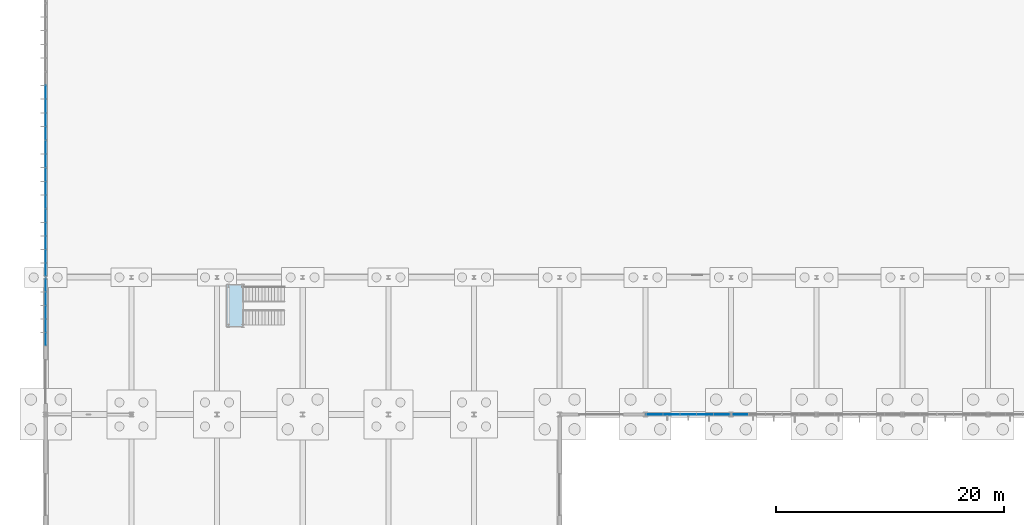
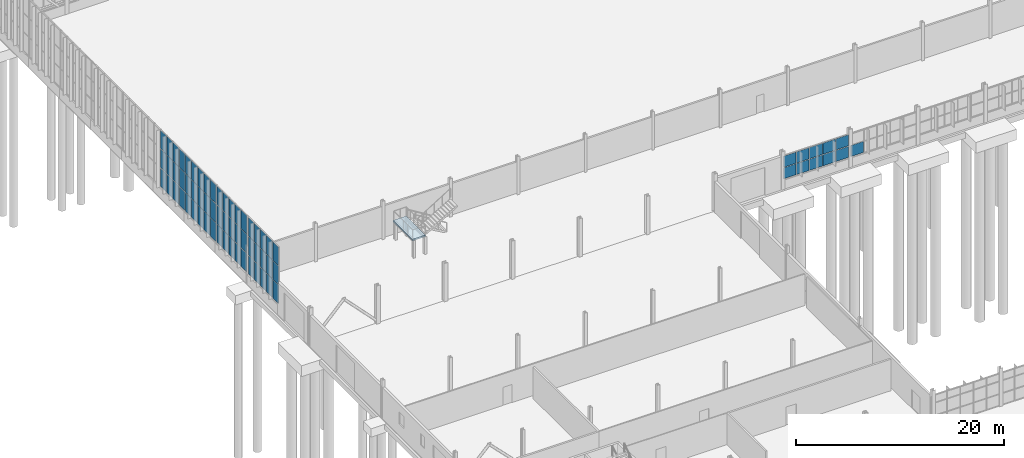
# One storey, part 86 of 136: 68 plates, 1 slab, 7 elements without a shape of their own.
"""IFC4 building model written with IfcOpenShell, lengths in metres."""

from ifc_helpers import new_model, si_unit, direction, frame, origin, origin_2d, place, context, subcontext, project, spatial, polyline, rectangle, outline, extrude, material, layer, layer_set, type_object, element, aggregate, save


model = new_model("IFC4")

# Units and contexts
model_context = context("Model", 3, precision=1e-05, world=origin(), true_north=direction((0.0, 1.0)))
body_context = subcontext(model_context, "Body", "Model", "MODEL_VIEW")
ifc_project = project(units=[si_unit("LENGTHUNIT", "METRE"), si_unit("AREAUNIT", "SQUARE_METRE"), si_unit("VOLUMEUNIT", "CUBIC_METRE"), si_unit("PLANEANGLEUNIT", "RADIAN"), si_unit("MASSUNIT", "GRAM", prefix="KILO")], contexts=[model_context])

# Site, building, storey
site_placement = place(None, origin())
site = spatial("IfcSite", under=ifc_project, at=site_placement, CompositionType="ELEMENT")
building_placement = place(site_placement, origin())
building = spatial("IfcBuilding", under=site, at=building_placement, Name="Solvenia Promenade Tram Depot", CompositionType="ELEMENT")
storey_placement = place(building_placement, origin())
storey = spatial("IfcBuildingStorey", under=building, at=storey_placement, Name="L00", CompositionType="ELEMENT", Elevation=0.0)

# Curtain wall, plates
ifc_material_1 = material(Name="Anodized aluminium AW-6063 T6", Category="aluminium")
ifc_layer_1 = layer(ifc_material_1, 0.159912109375, Name="Anodized aluminium AW-6063 T6", Category="aluminium")
ifc_layer_set_1 = layer_set([ifc_layer_1], Name="Anodized aluminium AW-6063 T6")
curtain_wall_type_1 = type_object("IfcCurtainWallType", Name="CW-Channel-1200", PredefinedType="NOTDEFINED", material=ifc_layer_set_1)
curtain_wall_1_placement = place(storey_placement, origin())
curtain_wall_1 = element("IfcCurtainWall", 1, at=curtain_wall_1_placement, inside=storey, type_object=curtain_wall_type_1, Name="Curtain Wall CW-V1W-02", PredefinedType="NOTDEFINED")
ifc_material_2 = material(Name="Low-iron translucent U-profile channel glass", Category="glass")
ifc_layer_2 = layer(ifc_material_2, 0.028076171875, Name="Low-iron translucent U-profile channel glass", Category="glass")
ifc_layer_set_2 = layer_set([ifc_layer_2], Name="Low-iron translucent U-profile channel glass")
plate_type_1 = type_object("IfcPlateType", Name="CWP-Panel-1", PredefinedType="CURTAIN_PANEL", material=ifc_layer_set_2)
plate_1_placement = place(storey_placement, frame((0.0, 72.60498046875, 1.2099609375), z_axis=(0.0, 0.0, 1.0), x_axis=(0.0, 1.0, 0.0)))
plate_1 = element("IfcPlate", 2, at=plate_1_placement, type_object=plate_type_1, Name="CW-1 panel 1.1", PredefinedType="CURTAIN_PANEL", context=body_context, shape_type="SweptSolid", body=[
    extrude(rectangle(XDim=1.10595703125, YDim=0.028076171875, at=origin_2d()), origin(), (0.0, 0.0, 1.0), 2.159912109375),
])
plate_2_placement = place(storey_placement, frame((0.0, 72.60498046875, 3.429931640625), z_axis=(0.0, 0.0, 1.0), x_axis=(0.0, 1.0, 0.0)))
plate_2 = element("IfcPlate", 3, at=plate_2_placement, type_object=plate_type_1, Name="CW-1 panel 1.2", PredefinedType="CURTAIN_PANEL", context=body_context, shape_type="SweptSolid", body=[
    extrude(rectangle(XDim=1.10595703125, YDim=0.028076171875, at=origin_2d()), origin(), (0.0, 0.0, 1.0), 2.18994140625),
])
plate_3_placement = place(storey_placement, frame((0.0, 72.60498046875, 5.68017578125), z_axis=(0.0, 0.0, 1.0), x_axis=(0.0, 1.0, 0.0)))
plate_3 = element("IfcPlate", 4, at=plate_3_placement, type_object=plate_type_1, Name="CW-1 panel 1.3", PredefinedType="CURTAIN_PANEL", context=body_context, shape_type="SweptSolid", body=[
    extrude(rectangle(XDim=1.10595703125, YDim=0.028076171875, at=origin_2d()), origin(), (0.0, 0.0, 1.0), 2.159912109375),
])
plate_4_placement = place(storey_placement, frame((0.0, 73.77587890625, 1.2099609375), z_axis=(0.0, 0.0, 1.0), x_axis=(0.0, 1.0, 0.0)))
plate_4 = element("IfcPlate", 5, at=plate_4_placement, type_object=plate_type_1, Name="CW-1 panel 2.1", PredefinedType="CURTAIN_PANEL", context=body_context, shape_type="SweptSolid", body=[
    extrude(rectangle(XDim=1.132080078125, YDim=0.028076171875, at=origin_2d()), origin(), (0.0, 0.0, 1.0), 2.159912109375),
])
plate_5_placement = place(storey_placement, frame((0.0, 73.77587890625, 3.429931640625), z_axis=(0.0, 0.0, 1.0), x_axis=(0.0, 1.0, 0.0)))
plate_5 = element("IfcPlate", 6, at=plate_5_placement, type_object=plate_type_1, Name="CW-1 panel 2.2", PredefinedType="CURTAIN_PANEL", context=body_context, shape_type="SweptSolid", body=[
    extrude(rectangle(XDim=1.132080078125, YDim=0.028076171875, at=origin_2d()), origin(), (0.0, 0.0, 1.0), 2.18994140625),
])
plate_6_placement = place(storey_placement, frame((0.0, 73.77587890625, 5.68017578125), z_axis=(0.0, 0.0, 1.0), x_axis=(0.0, 1.0, 0.0)))
plate_6 = element("IfcPlate", 7, at=plate_6_placement, type_object=plate_type_1, Name="CW-1 panel 2.3", PredefinedType="CURTAIN_PANEL", context=body_context, shape_type="SweptSolid", body=[
    extrude(rectangle(XDim=1.132080078125, YDim=0.028076171875, at=origin_2d()), origin(), (0.0, 0.0, 1.0), 2.159912109375),
])
plate_7_placement = place(storey_placement, frame((0.0, 74.9599609375, 1.2099609375), z_axis=(0.0, 0.0, 1.0), x_axis=(0.0, 1.0, 0.0)))
plate_7 = element("IfcPlate", 8, at=plate_7_placement, type_object=plate_type_1, Name="CW-1 panel 3.1", PredefinedType="CURTAIN_PANEL", context=body_context, shape_type="SweptSolid", body=[
    extrude(rectangle(XDim=1.132080078125, YDim=0.028076171875, at=origin_2d()), origin(), (0.0, 0.0, 1.0), 2.159912109375),
])
plate_8_placement = place(storey_placement, frame((0.0, 74.9599609375, 3.429931640625), z_axis=(0.0, 0.0, 1.0), x_axis=(0.0, 1.0, 0.0)))
plate_8 = element("IfcPlate", 9, at=plate_8_placement, type_object=plate_type_1, Name="CW-1 panel 3.2", PredefinedType="CURTAIN_PANEL", context=body_context, shape_type="SweptSolid", body=[
    extrude(rectangle(XDim=1.132080078125, YDim=0.028076171875, at=origin_2d()), origin(), (0.0, 0.0, 1.0), 2.18994140625),
])
plate_9_placement = place(storey_placement, frame((0.0, 74.9599609375, 5.68017578125), z_axis=(0.0, 0.0, 1.0), x_axis=(0.0, 1.0, 0.0)))
plate_9 = element("IfcPlate", 10, at=plate_9_placement, type_object=plate_type_1, Name="CW-1 panel 3.3", PredefinedType="CURTAIN_PANEL", context=body_context, shape_type="SweptSolid", body=[
    extrude(rectangle(XDim=1.132080078125, YDim=0.028076171875, at=origin_2d()), origin(), (0.0, 0.0, 1.0), 2.159912109375),
])
plate_10_placement = place(storey_placement, frame((0.0, 76.14404296875, 1.2099609375), z_axis=(0.0, 0.0, 1.0), x_axis=(0.0, 1.0, 0.0)))
plate_10 = element("IfcPlate", 11, at=plate_10_placement, type_object=plate_type_1, Name="CW-1 panel 4.1", PredefinedType="CURTAIN_PANEL", context=body_context, shape_type="SweptSolid", body=[
    extrude(rectangle(XDim=1.132080078125, YDim=0.028076171875, at=origin_2d()), origin(), (0.0, 0.0, 1.0), 2.159912109375),
])
plate_11_placement = place(storey_placement, frame((0.0, 76.14404296875, 3.429931640625), z_axis=(0.0, 0.0, 1.0), x_axis=(0.0, 1.0, 0.0)))
plate_11 = element("IfcPlate", 12, at=plate_11_placement, type_object=plate_type_1, Name="CW-1 panel 4.2", PredefinedType="CURTAIN_PANEL", context=body_context, shape_type="SweptSolid", body=[
    extrude(rectangle(XDim=1.132080078125, YDim=0.028076171875, at=origin_2d()), origin(), (0.0, 0.0, 1.0), 2.18994140625),
])
plate_12_placement = place(storey_placement, frame((0.0, 76.14404296875, 5.68017578125), z_axis=(0.0, 0.0, 1.0), x_axis=(0.0, 1.0, 0.0)))
plate_12 = element("IfcPlate", 13, at=plate_12_placement, type_object=plate_type_1, Name="CW-1 panel 4.3", PredefinedType="CURTAIN_PANEL", context=body_context, shape_type="SweptSolid", body=[
    extrude(rectangle(XDim=1.132080078125, YDim=0.028076171875, at=origin_2d()), origin(), (0.0, 0.0, 1.0), 2.159912109375),
])
plate_13_placement = place(storey_placement, frame((0.0, 77.31494140625, 1.2099609375), z_axis=(0.0, 0.0, 1.0), x_axis=(0.0, 1.0, 0.0)))
plate_13 = element("IfcPlate", 14, at=plate_13_placement, type_object=plate_type_1, Name="CW-1 panel 5.1", PredefinedType="CURTAIN_PANEL", context=body_context, shape_type="SweptSolid", body=[
    extrude(rectangle(XDim=1.10595703125, YDim=0.028076171875, at=origin_2d()), origin(), (0.0, 0.0, 1.0), 2.159912109375),
])
plate_14_placement = place(storey_placement, frame((0.0, 77.31494140625, 3.429931640625), z_axis=(0.0, 0.0, 1.0), x_axis=(0.0, 1.0, 0.0)))
plate_14 = element("IfcPlate", 15, at=plate_14_placement, type_object=plate_type_1, Name="CW-1 panel 5.2", PredefinedType="CURTAIN_PANEL", context=body_context, shape_type="SweptSolid", body=[
    extrude(rectangle(XDim=1.10595703125, YDim=0.028076171875, at=origin_2d()), origin(), (0.0, 0.0, 1.0), 2.18994140625),
])
plate_15_placement = place(storey_placement, frame((0.0, 77.31494140625, 5.68017578125), z_axis=(0.0, 0.0, 1.0), x_axis=(0.0, 1.0, 0.0)))
plate_15 = element("IfcPlate", 16, at=plate_15_placement, type_object=plate_type_1, Name="CW-1 panel 5.3", PredefinedType="CURTAIN_PANEL", context=body_context, shape_type="SweptSolid", body=[
    extrude(rectangle(XDim=1.10595703125, YDim=0.028076171875, at=origin_2d()), origin(), (0.0, 0.0, 1.0), 2.159912109375),
])
aggregate(curtain_wall_1, [plate_1, plate_2, plate_3, plate_4, plate_5, plate_6, plate_7, plate_8, plate_9, plate_10, plate_11, plate_12, plate_13, plate_14, plate_15])

curtain_wall_2_placement = place(storey_placement, origin())
curtain_wall_2 = element("IfcCurtainWall", 17, at=curtain_wall_2_placement, inside=storey, type_object=curtain_wall_type_1, Name="Curtain Wall CW-V1W-03", PredefinedType="NOTDEFINED")
plate_16_placement = place(storey_placement, frame((0.0, 78.68505859375, 1.2099609375), z_axis=(0.0, 0.0, 1.0), x_axis=(0.0, 1.0, 0.0)))
plate_16 = element("IfcPlate", 18, at=plate_16_placement, type_object=plate_type_1, Name="CW-1 panel 1.1", PredefinedType="CURTAIN_PANEL", context=body_context, shape_type="SweptSolid", body=[
    extrude(rectangle(XDim=1.10595703125, YDim=0.028076171875, at=origin_2d()), origin(), (0.0, 0.0, 1.0), 2.159912109375),
])
plate_17_placement = place(storey_placement, frame((0.0, 78.68505859375, 3.429931640625), z_axis=(0.0, 0.0, 1.0), x_axis=(0.0, 1.0, 0.0)))
plate_17 = element("IfcPlate", 19, at=plate_17_placement, type_object=plate_type_1, Name="CW-1 panel 1.2", PredefinedType="CURTAIN_PANEL", context=body_context, shape_type="SweptSolid", body=[
    extrude(rectangle(XDim=1.10595703125, YDim=0.028076171875, at=origin_2d()), origin(), (0.0, 0.0, 1.0), 2.18994140625),
])
plate_18_placement = place(storey_placement, frame((0.0, 78.68505859375, 5.68017578125), z_axis=(0.0, 0.0, 1.0), x_axis=(0.0, 1.0, 0.0)))
plate_18 = element("IfcPlate", 20, at=plate_18_placement, type_object=plate_type_1, Name="CW-1 panel 1.3", PredefinedType="CURTAIN_PANEL", context=body_context, shape_type="SweptSolid", body=[
    extrude(rectangle(XDim=1.10595703125, YDim=0.028076171875, at=origin_2d()), origin(), (0.0, 0.0, 1.0), 2.159912109375),
])
plate_19_placement = place(storey_placement, frame((0.0, 79.85595703125, 1.2099609375), z_axis=(0.0, 0.0, 1.0), x_axis=(0.0, 1.0, 0.0)))
plate_19 = element("IfcPlate", 21, at=plate_19_placement, type_object=plate_type_1, Name="CW-1 panel 2.1", PredefinedType="CURTAIN_PANEL", context=body_context, shape_type="SweptSolid", body=[
    extrude(rectangle(XDim=1.132080078125, YDim=0.028076171875, at=origin_2d()), origin(), (0.0, 0.0, 1.0), 2.159912109375),
])
plate_20_placement = place(storey_placement, frame((0.0, 79.85595703125, 3.429931640625), z_axis=(0.0, 0.0, 1.0), x_axis=(0.0, 1.0, 0.0)))
plate_20 = element("IfcPlate", 22, at=plate_20_placement, type_object=plate_type_1, Name="CW-1 panel 2.2", PredefinedType="CURTAIN_PANEL", context=body_context, shape_type="SweptSolid", body=[
    extrude(rectangle(XDim=1.132080078125, YDim=0.028076171875, at=origin_2d()), origin(), (0.0, 0.0, 1.0), 2.18994140625),
])
plate_21_placement = place(storey_placement, frame((0.0, 79.85595703125, 5.68017578125), z_axis=(0.0, 0.0, 1.0), x_axis=(0.0, 1.0, 0.0)))
plate_21 = element("IfcPlate", 23, at=plate_21_placement, type_object=plate_type_1, Name="CW-1 panel 2.3", PredefinedType="CURTAIN_PANEL", context=body_context, shape_type="SweptSolid", body=[
    extrude(rectangle(XDim=1.132080078125, YDim=0.028076171875, at=origin_2d()), origin(), (0.0, 0.0, 1.0), 2.159912109375),
])
plate_22_placement = place(storey_placement, frame((0.0, 81.0400390625, 1.2099609375), z_axis=(0.0, 0.0, 1.0), x_axis=(0.0, 1.0, 0.0)))
plate_22 = element("IfcPlate", 24, at=plate_22_placement, type_object=plate_type_1, Name="CW-1 panel 3.1", PredefinedType="CURTAIN_PANEL", context=body_context, shape_type="SweptSolid", body=[
    extrude(rectangle(XDim=1.132080078125, YDim=0.028076171875, at=origin_2d()), origin(), (0.0, 0.0, 1.0), 2.159912109375),
])
plate_23_placement = place(storey_placement, frame((0.0, 81.0400390625, 3.429931640625), z_axis=(0.0, 0.0, 1.0), x_axis=(0.0, 1.0, 0.0)))
plate_23 = element("IfcPlate", 25, at=plate_23_placement, type_object=plate_type_1, Name="CW-1 panel 3.2", PredefinedType="CURTAIN_PANEL", context=body_context, shape_type="SweptSolid", body=[
    extrude(rectangle(XDim=1.132080078125, YDim=0.028076171875, at=origin_2d()), origin(), (0.0, 0.0, 1.0), 2.18994140625),
])
plate_24_placement = place(storey_placement, frame((0.0, 81.0400390625, 5.68017578125), z_axis=(0.0, 0.0, 1.0), x_axis=(0.0, 1.0, 0.0)))
plate_24 = element("IfcPlate", 26, at=plate_24_placement, type_object=plate_type_1, Name="CW-1 panel 3.3", PredefinedType="CURTAIN_PANEL", context=body_context, shape_type="SweptSolid", body=[
    extrude(rectangle(XDim=1.132080078125, YDim=0.028076171875, at=origin_2d()), origin(), (0.0, 0.0, 1.0), 2.159912109375),
])
plate_25_placement = place(storey_placement, frame((0.0, 82.22412109375, 1.2099609375), z_axis=(0.0, 0.0, 1.0), x_axis=(0.0, 1.0, 0.0)))
plate_25 = element("IfcPlate", 27, at=plate_25_placement, type_object=plate_type_1, Name="CW-1 panel 4.1", PredefinedType="CURTAIN_PANEL", context=body_context, shape_type="SweptSolid", body=[
    extrude(rectangle(XDim=1.132080078125, YDim=0.028076171875, at=origin_2d()), origin(), (0.0, 0.0, 1.0), 2.159912109375),
])
plate_26_placement = place(storey_placement, frame((0.0, 82.22412109375, 3.429931640625), z_axis=(0.0, 0.0, 1.0), x_axis=(0.0, 1.0, 0.0)))
plate_26 = element("IfcPlate", 28, at=plate_26_placement, type_object=plate_type_1, Name="CW-1 panel 4.2", PredefinedType="CURTAIN_PANEL", context=body_context, shape_type="SweptSolid", body=[
    extrude(rectangle(XDim=1.132080078125, YDim=0.028076171875, at=origin_2d()), origin(), (0.0, 0.0, 1.0), 2.18994140625),
])
plate_27_placement = place(storey_placement, frame((0.0, 82.22412109375, 5.68017578125), z_axis=(0.0, 0.0, 1.0), x_axis=(0.0, 1.0, 0.0)))
plate_27 = element("IfcPlate", 29, at=plate_27_placement, type_object=plate_type_1, Name="CW-1 panel 4.3", PredefinedType="CURTAIN_PANEL", context=body_context, shape_type="SweptSolid", body=[
    extrude(rectangle(XDim=1.132080078125, YDim=0.028076171875, at=origin_2d()), origin(), (0.0, 0.0, 1.0), 2.159912109375),
])
plate_28_placement = place(storey_placement, frame((0.0, 83.39501953125, 1.2099609375), z_axis=(0.0, 0.0, 1.0), x_axis=(0.0, 1.0, 0.0)))
plate_28 = element("IfcPlate", 30, at=plate_28_placement, type_object=plate_type_1, Name="CW-1 panel 5.1", PredefinedType="CURTAIN_PANEL", context=body_context, shape_type="SweptSolid", body=[
    extrude(rectangle(XDim=1.10595703125, YDim=0.028076171875, at=origin_2d()), origin(), (0.0, 0.0, 1.0), 2.159912109375),
])
plate_29_placement = place(storey_placement, frame((0.0, 83.39501953125, 3.429931640625), z_axis=(0.0, 0.0, 1.0), x_axis=(0.0, 1.0, 0.0)))
plate_29 = element("IfcPlate", 31, at=plate_29_placement, type_object=plate_type_1, Name="CW-1 panel 5.2", PredefinedType="CURTAIN_PANEL", context=body_context, shape_type="SweptSolid", body=[
    extrude(rectangle(XDim=1.10595703125, YDim=0.028076171875, at=origin_2d()), origin(), (0.0, 0.0, 1.0), 2.18994140625),
])
plate_30_placement = place(storey_placement, frame((0.0, 83.39501953125, 5.68017578125), z_axis=(0.0, 0.0, 1.0), x_axis=(0.0, 1.0, 0.0)))
plate_30 = element("IfcPlate", 32, at=plate_30_placement, type_object=plate_type_1, Name="CW-1 panel 5.3", PredefinedType="CURTAIN_PANEL", context=body_context, shape_type="SweptSolid", body=[
    extrude(rectangle(XDim=1.10595703125, YDim=0.028076171875, at=origin_2d()), origin(), (0.0, 0.0, 1.0), 2.159912109375),
])
aggregate(curtain_wall_2, [plate_16, plate_17, plate_18, plate_19, plate_20, plate_21, plate_22, plate_23, plate_24, plate_25, plate_26, plate_27, plate_28, plate_29, plate_30])

curtain_wall_3_placement = place(storey_placement, origin())
curtain_wall_3 = element("IfcCurtainWall", 33, at=curtain_wall_3_placement, inside=storey, type_object=curtain_wall_type_1, Name="Curtain Wall CW-V1W-04", PredefinedType="NOTDEFINED")
plate_31_placement = place(storey_placement, frame((0.0, 84.613037109375, 1.2099609375), z_axis=(0.0, 0.0, 1.0), x_axis=(0.0, 1.0, 0.0)))
plate_31 = element("IfcPlate", 34, at=plate_31_placement, type_object=plate_type_1, Name="CW-1 panel 1.1", PredefinedType="CURTAIN_PANEL", context=body_context, shape_type="SweptSolid", body=[
    extrude(rectangle(XDim=1.1220703125, YDim=0.028076171875, at=origin_2d()), origin(), (0.0, 0.0, 1.0), 2.159912109375),
])
plate_32_placement = place(storey_placement, frame((0.0, 84.613037109375, 3.429931640625), z_axis=(0.0, 0.0, 1.0), x_axis=(0.0, 1.0, 0.0)))
plate_32 = element("IfcPlate", 35, at=plate_32_placement, type_object=plate_type_1, Name="CW-1 panel 1.2", PredefinedType="CURTAIN_PANEL", context=body_context, shape_type="SweptSolid", body=[
    extrude(rectangle(XDim=1.1220703125, YDim=0.028076171875, at=origin_2d()), origin(), (0.0, 0.0, 1.0), 2.18994140625),
])
plate_33_placement = place(storey_placement, frame((0.0, 84.613037109375, 5.68017578125), z_axis=(0.0, 0.0, 1.0), x_axis=(0.0, 1.0, 0.0)))
plate_33 = element("IfcPlate", 36, at=plate_33_placement, type_object=plate_type_1, Name="CW-1 panel 1.3", PredefinedType="CURTAIN_PANEL", context=body_context, shape_type="SweptSolid", body=[
    extrude(rectangle(XDim=1.1220703125, YDim=0.028076171875, at=origin_2d()), origin(), (0.0, 0.0, 1.0), 2.159912109375),
])
plate_34_placement = place(storey_placement, frame((0.0, 85.800048828125, 1.2099609375), z_axis=(0.0, 0.0, 1.0), x_axis=(0.0, 1.0, 0.0)))
plate_34 = element("IfcPlate", 37, at=plate_34_placement, type_object=plate_type_1, Name="CW-1 panel 2.1", PredefinedType="CURTAIN_PANEL", context=body_context, shape_type="SweptSolid", body=[
    extrude(rectangle(XDim=1.14794921875, YDim=0.028076171875, at=origin_2d()), origin(), (0.0, 0.0, 1.0), 2.159912109375),
])
plate_35_placement = place(storey_placement, frame((0.0, 85.800048828125, 3.429931640625), z_axis=(0.0, 0.0, 1.0), x_axis=(0.0, 1.0, 0.0)))
plate_35 = element("IfcPlate", 38, at=plate_35_placement, type_object=plate_type_1, Name="CW-1 panel 2.2", PredefinedType="CURTAIN_PANEL", context=body_context, shape_type="SweptSolid", body=[
    extrude(rectangle(XDim=1.14794921875, YDim=0.028076171875, at=origin_2d()), origin(), (0.0, 0.0, 1.0), 2.18994140625),
])
plate_36_placement = place(storey_placement, frame((0.0, 85.800048828125, 5.68017578125), z_axis=(0.0, 0.0, 1.0), x_axis=(0.0, 1.0, 0.0)))
plate_36 = element("IfcPlate", 39, at=plate_36_placement, type_object=plate_type_1, Name="CW-1 panel 2.3", PredefinedType="CURTAIN_PANEL", context=body_context, shape_type="SweptSolid", body=[
    extrude(rectangle(XDim=1.14794921875, YDim=0.028076171875, at=origin_2d()), origin(), (0.0, 0.0, 1.0), 2.159912109375),
])
plate_37_placement = place(storey_placement, frame((0.0, 87.0, 1.2099609375), z_axis=(0.0, 0.0, 1.0), x_axis=(0.0, 1.0, 0.0)))
plate_37 = element("IfcPlate", 40, at=plate_37_placement, type_object=plate_type_1, Name="CW-1 panel 3.1", PredefinedType="CURTAIN_PANEL", context=body_context, shape_type="SweptSolid", body=[
    extrude(rectangle(XDim=1.14794921875, YDim=0.028076171875, at=origin_2d()), origin(), (0.0, 0.0, 1.0), 2.159912109375),
])
plate_38_placement = place(storey_placement, frame((0.0, 87.0, 3.429931640625), z_axis=(0.0, 0.0, 1.0), x_axis=(0.0, 1.0, 0.0)))
plate_38 = element("IfcPlate", 41, at=plate_38_placement, type_object=plate_type_1, Name="CW-1 panel 3.2", PredefinedType="CURTAIN_PANEL", context=body_context, shape_type="SweptSolid", body=[
    extrude(rectangle(XDim=1.14794921875, YDim=0.028076171875, at=origin_2d()), origin(), (0.0, 0.0, 1.0), 2.18994140625),
])
plate_39_placement = place(storey_placement, frame((0.0, 87.0, 5.68017578125), z_axis=(0.0, 0.0, 1.0), x_axis=(0.0, 1.0, 0.0)))
plate_39 = element("IfcPlate", 42, at=plate_39_placement, type_object=plate_type_1, Name="CW-1 panel 3.3", PredefinedType="CURTAIN_PANEL", context=body_context, shape_type="SweptSolid", body=[
    extrude(rectangle(XDim=1.14794921875, YDim=0.028076171875, at=origin_2d()), origin(), (0.0, 0.0, 1.0), 2.159912109375),
])
plate_40_placement = place(storey_placement, frame((0.0, 88.199951171875, 1.2099609375), z_axis=(0.0, 0.0, 1.0), x_axis=(0.0, 1.0, 0.0)))
plate_40 = element("IfcPlate", 43, at=plate_40_placement, type_object=plate_type_1, Name="CW-1 panel 4.1", PredefinedType="CURTAIN_PANEL", context=body_context, shape_type="SweptSolid", body=[
    extrude(rectangle(XDim=1.14794921875, YDim=0.028076171875, at=origin_2d()), origin(), (0.0, 0.0, 1.0), 2.159912109375),
])
plate_41_placement = place(storey_placement, frame((0.0, 88.199951171875, 3.429931640625), z_axis=(0.0, 0.0, 1.0), x_axis=(0.0, 1.0, 0.0)))
plate_41 = element("IfcPlate", 44, at=plate_41_placement, type_object=plate_type_1, Name="CW-1 panel 4.2", PredefinedType="CURTAIN_PANEL", context=body_context, shape_type="SweptSolid", body=[
    extrude(rectangle(XDim=1.14794921875, YDim=0.028076171875, at=origin_2d()), origin(), (0.0, 0.0, 1.0), 2.18994140625),
])
plate_42_placement = place(storey_placement, frame((0.0, 88.199951171875, 5.68017578125), z_axis=(0.0, 0.0, 1.0), x_axis=(0.0, 1.0, 0.0)))
plate_42 = element("IfcPlate", 45, at=plate_42_placement, type_object=plate_type_1, Name="CW-1 panel 4.3", PredefinedType="CURTAIN_PANEL", context=body_context, shape_type="SweptSolid", body=[
    extrude(rectangle(XDim=1.14794921875, YDim=0.028076171875, at=origin_2d()), origin(), (0.0, 0.0, 1.0), 2.159912109375),
])
plate_43_placement = place(storey_placement, frame((0.0, 89.386962890625, 1.2099609375), z_axis=(0.0, 0.0, 1.0), x_axis=(0.0, 1.0, 0.0)))
plate_43 = element("IfcPlate", 46, at=plate_43_placement, type_object=plate_type_1, Name="CW-1 panel 5.1", PredefinedType="CURTAIN_PANEL", context=body_context, shape_type="SweptSolid", body=[
    extrude(rectangle(XDim=1.1220703125, YDim=0.028076171875, at=origin_2d()), origin(), (0.0, 0.0, 1.0), 2.159912109375),
])
plate_44_placement = place(storey_placement, frame((0.0, 89.386962890625, 3.429931640625), z_axis=(0.0, 0.0, 1.0), x_axis=(0.0, 1.0, 0.0)))
plate_44 = element("IfcPlate", 47, at=plate_44_placement, type_object=plate_type_1, Name="CW-1 panel 5.2", PredefinedType="CURTAIN_PANEL", context=body_context, shape_type="SweptSolid", body=[
    extrude(rectangle(XDim=1.1220703125, YDim=0.028076171875, at=origin_2d()), origin(), (0.0, 0.0, 1.0), 2.18994140625),
])
plate_45_placement = place(storey_placement, frame((0.0, 89.386962890625, 5.68017578125), z_axis=(0.0, 0.0, 1.0), x_axis=(0.0, 1.0, 0.0)))
plate_45 = element("IfcPlate", 48, at=plate_45_placement, type_object=plate_type_1, Name="CW-1 panel 5.3", PredefinedType="CURTAIN_PANEL", context=body_context, shape_type="SweptSolid", body=[
    extrude(rectangle(XDim=1.1220703125, YDim=0.028076171875, at=origin_2d()), origin(), (0.0, 0.0, 1.0), 2.159912109375),
])
aggregate(curtain_wall_3, [plate_31, plate_32, plate_33, plate_34, plate_35, plate_36, plate_37, plate_38, plate_39, plate_40, plate_41, plate_42, plate_43, plate_44, plate_45])

curtain_wall_4_placement = place(storey_placement, origin())
curtain_wall_4 = element("IfcCurtainWall", 49, at=curtain_wall_4_placement, inside=storey, type_object=curtain_wall_type_1, Name="Curtain Wall CW-V1W-05", PredefinedType="NOTDEFINED")
plate_46_placement = place(storey_placement, frame((0.0, 90.613037109375, 1.2099609375), z_axis=(0.0, 0.0, 1.0), x_axis=(0.0, 1.0, 0.0)))
plate_46 = element("IfcPlate", 50, at=plate_46_placement, type_object=plate_type_1, Name="CW-1 panel 1.1", PredefinedType="CURTAIN_PANEL", context=body_context, shape_type="SweptSolid", body=[
    extrude(rectangle(XDim=1.1220703125, YDim=0.028076171875, at=origin_2d()), origin(), (0.0, 0.0, 1.0), 2.159912109375),
])
plate_47_placement = place(storey_placement, frame((0.0, 90.613037109375, 3.429931640625), z_axis=(0.0, 0.0, 1.0), x_axis=(0.0, 1.0, 0.0)))
plate_47 = element("IfcPlate", 51, at=plate_47_placement, type_object=plate_type_1, Name="CW-1 panel 1.2", PredefinedType="CURTAIN_PANEL", context=body_context, shape_type="SweptSolid", body=[
    extrude(rectangle(XDim=1.1220703125, YDim=0.028076171875, at=origin_2d()), origin(), (0.0, 0.0, 1.0), 2.18994140625),
])
plate_48_placement = place(storey_placement, frame((0.0, 90.613037109375, 5.68017578125), z_axis=(0.0, 0.0, 1.0), x_axis=(0.0, 1.0, 0.0)))
plate_48 = element("IfcPlate", 52, at=plate_48_placement, type_object=plate_type_1, Name="CW-1 panel 1.3", PredefinedType="CURTAIN_PANEL", context=body_context, shape_type="SweptSolid", body=[
    extrude(rectangle(XDim=1.1220703125, YDim=0.028076171875, at=origin_2d()), origin(), (0.0, 0.0, 1.0), 2.159912109375),
])
plate_49_placement = place(storey_placement, frame((0.0, 91.800048828125, 1.2099609375), z_axis=(0.0, 0.0, 1.0), x_axis=(0.0, 1.0, 0.0)))
plate_49 = element("IfcPlate", 53, at=plate_49_placement, type_object=plate_type_1, Name="CW-1 panel 2.1", PredefinedType="CURTAIN_PANEL", context=body_context, shape_type="SweptSolid", body=[
    extrude(rectangle(XDim=1.14794921875, YDim=0.028076171875, at=origin_2d()), origin(), (0.0, 0.0, 1.0), 2.159912109375),
])
plate_50_placement = place(storey_placement, frame((0.0, 91.800048828125, 3.429931640625), z_axis=(0.0, 0.0, 1.0), x_axis=(0.0, 1.0, 0.0)))
plate_50 = element("IfcPlate", 54, at=plate_50_placement, type_object=plate_type_1, Name="CW-1 panel 2.2", PredefinedType="CURTAIN_PANEL", context=body_context, shape_type="SweptSolid", body=[
    extrude(rectangle(XDim=1.14794921875, YDim=0.028076171875, at=origin_2d()), origin(), (0.0, 0.0, 1.0), 2.18994140625),
])
plate_51_placement = place(storey_placement, frame((0.0, 91.800048828125, 5.68017578125), z_axis=(0.0, 0.0, 1.0), x_axis=(0.0, 1.0, 0.0)))
plate_51 = element("IfcPlate", 55, at=plate_51_placement, type_object=plate_type_1, Name="CW-1 panel 2.3", PredefinedType="CURTAIN_PANEL", context=body_context, shape_type="SweptSolid", body=[
    extrude(rectangle(XDim=1.14794921875, YDim=0.028076171875, at=origin_2d()), origin(), (0.0, 0.0, 1.0), 2.159912109375),
])
plate_52_placement = place(storey_placement, frame((0.0, 93.0, 1.2099609375), z_axis=(0.0, 0.0, 1.0), x_axis=(0.0, 1.0, 0.0)))
plate_52 = element("IfcPlate", 56, at=plate_52_placement, type_object=plate_type_1, Name="CW-1 panel 3.1", PredefinedType="CURTAIN_PANEL", context=body_context, shape_type="SweptSolid", body=[
    extrude(rectangle(XDim=1.14794921875, YDim=0.028076171875, at=origin_2d()), origin(), (0.0, 0.0, 1.0), 2.159912109375),
])
plate_53_placement = place(storey_placement, frame((0.0, 93.0, 3.429931640625), z_axis=(0.0, 0.0, 1.0), x_axis=(0.0, 1.0, 0.0)))
plate_53 = element("IfcPlate", 57, at=plate_53_placement, type_object=plate_type_1, Name="CW-1 panel 3.2", PredefinedType="CURTAIN_PANEL", context=body_context, shape_type="SweptSolid", body=[
    extrude(rectangle(XDim=1.14794921875, YDim=0.028076171875, at=origin_2d()), origin(), (0.0, 0.0, 1.0), 2.18994140625),
])
plate_54_placement = place(storey_placement, frame((0.0, 93.0, 5.68017578125), z_axis=(0.0, 0.0, 1.0), x_axis=(0.0, 1.0, 0.0)))
plate_54 = element("IfcPlate", 58, at=plate_54_placement, type_object=plate_type_1, Name="CW-1 panel 3.3", PredefinedType="CURTAIN_PANEL", context=body_context, shape_type="SweptSolid", body=[
    extrude(rectangle(XDim=1.14794921875, YDim=0.028076171875, at=origin_2d()), origin(), (0.0, 0.0, 1.0), 2.159912109375),
])
plate_55_placement = place(storey_placement, frame((0.0, 94.199951171875, 1.2099609375), z_axis=(0.0, 0.0, 1.0), x_axis=(0.0, 1.0, 0.0)))
plate_55 = element("IfcPlate", 59, at=plate_55_placement, type_object=plate_type_1, Name="CW-1 panel 4.1", PredefinedType="CURTAIN_PANEL", context=body_context, shape_type="SweptSolid", body=[
    extrude(rectangle(XDim=1.14794921875, YDim=0.028076171875, at=origin_2d()), origin(), (0.0, 0.0, 1.0), 2.159912109375),
])
plate_56_placement = place(storey_placement, frame((0.0, 94.199951171875, 3.429931640625), z_axis=(0.0, 0.0, 1.0), x_axis=(0.0, 1.0, 0.0)))
plate_56 = element("IfcPlate", 60, at=plate_56_placement, type_object=plate_type_1, Name="CW-1 panel 4.2", PredefinedType="CURTAIN_PANEL", context=body_context, shape_type="SweptSolid", body=[
    extrude(rectangle(XDim=1.14794921875, YDim=0.028076171875, at=origin_2d()), origin(), (0.0, 0.0, 1.0), 2.18994140625),
])
plate_57_placement = place(storey_placement, frame((0.0, 94.199951171875, 5.68017578125), z_axis=(0.0, 0.0, 1.0), x_axis=(0.0, 1.0, 0.0)))
plate_57 = element("IfcPlate", 61, at=plate_57_placement, type_object=plate_type_1, Name="CW-1 panel 4.3", PredefinedType="CURTAIN_PANEL", context=body_context, shape_type="SweptSolid", body=[
    extrude(rectangle(XDim=1.14794921875, YDim=0.028076171875, at=origin_2d()), origin(), (0.0, 0.0, 1.0), 2.159912109375),
])
aggregate(curtain_wall_4, [plate_46, plate_47, plate_48, plate_49, plate_50, plate_51, plate_52, plate_53, plate_54, plate_55, plate_56, plate_57])

ifc_layer_3 = layer(ifc_material_1, 0.14990234375, Name="Anodized aluminium AW-6063 T6", Category="aluminium")
ifc_layer_set_3 = layer_set([ifc_layer_3], Name="Anodized aluminium AW-6063 T6")
curtain_wall_type_2 = type_object("IfcCurtainWallType", Name="CW-Court-1500", PredefinedType="NOTDEFINED", material=ifc_layer_set_3)
curtain_wall_5_placement = place(storey_placement, origin())
curtain_wall_5 = element("IfcCurtainWall", 62, at=curtain_wall_5_placement, inside=storey, type_object=curtain_wall_type_2, Name="Curtain Wall CW-V1S0-02", PredefinedType="NOTDEFINED")
ifc_material_3 = material(Name="Double low-e argon insulated glass", Category="glass")
ifc_layer_4 = layer(ifc_material_3, 0.031982421875, Name="Double low-e argon insulated glass", Category="glass")
ifc_layer_set_4 = layer_set([ifc_layer_4], Name="Double low-e argon insulated glass")
plate_type_2 = type_object("IfcPlateType", Name="CWP-Panel-2", PredefinedType="CURTAIN_PANEL", material=ifc_layer_set_4)
plate_58_placement = place(storey_placement, frame((53.326416015625, 66.0, 1.115234375), z_axis=(0.0, 0.0, 1.0), x_axis=(1.0, 0.0, 0.0)))
plate_58 = element("IfcPlate", 63, at=plate_58_placement, type_object=plate_type_2, Name="CW-5 panel 1.1", PredefinedType="CURTAIN_PANEL", context=body_context, shape_type="SweptSolid", body=[
    extrude(rectangle(XDim=1.39306640625, YDim=0.031982421875, at=origin_2d()), origin(), (0.0, 0.0, 1.0), 1.302490234375),
])
plate_59_placement = place(storey_placement, frame((53.326416015625, 66.0, 2.482421875), z_axis=(0.0, 0.0, 1.0), x_axis=(1.0, 0.0, 0.0)))
plate_59 = element("IfcPlate", 64, at=plate_59_placement, type_object=plate_type_2, Name="CW-5 panel 1.2", PredefinedType="CURTAIN_PANEL", context=body_context, shape_type="SweptSolid", body=[
    extrude(rectangle(XDim=1.39306640625, YDim=0.031982421875, at=origin_2d()), origin(), (0.0, 0.0, 1.0), 1.302490234375),
])
plate_60_placement = place(storey_placement, frame((54.781982421875, 66.0, 1.115234375), z_axis=(0.0, 0.0, 1.0), x_axis=(1.0, 0.0, 0.0)))
plate_60 = element("IfcPlate", 65, at=plate_60_placement, type_object=plate_type_2, Name="CW-5 panel 2.1", PredefinedType="CURTAIN_PANEL", context=body_context, shape_type="SweptSolid", body=[
    extrude(rectangle(XDim=1.41796875, YDim=0.031982421875, at=origin_2d()), origin(), (0.0, 0.0, 1.0), 1.302490234375),
])
plate_61_placement = place(storey_placement, frame((54.781982421875, 66.0, 2.482421875), z_axis=(0.0, 0.0, 1.0), x_axis=(1.0, 0.0, 0.0)))
plate_61 = element("IfcPlate", 66, at=plate_61_placement, type_object=plate_type_2, Name="CW-5 panel 2.2", PredefinedType="CURTAIN_PANEL", context=body_context, shape_type="SweptSolid", body=[
    extrude(rectangle(XDim=1.41796875, YDim=0.031982421875, at=origin_2d()), origin(), (0.0, 0.0, 1.0), 1.302490234375),
])
plate_62_placement = place(storey_placement, frame((56.25, 66.0, 1.115234375), z_axis=(0.0, 0.0, 1.0), x_axis=(1.0, 0.0, 0.0)))
plate_62 = element("IfcPlate", 67, at=plate_62_placement, type_object=plate_type_2, Name="CW-5 panel 3.1", PredefinedType="CURTAIN_PANEL", context=body_context, shape_type="SweptSolid", body=[
    extrude(rectangle(XDim=1.41796875, YDim=0.031982421875, at=origin_2d()), origin(), (0.0, 0.0, 1.0), 1.302490234375),
])
plate_63_placement = place(storey_placement, frame((56.25, 66.0, 2.482421875), z_axis=(0.0, 0.0, 1.0), x_axis=(1.0, 0.0, 0.0)))
plate_63 = element("IfcPlate", 68, at=plate_63_placement, type_object=plate_type_2, Name="CW-5 panel 3.2", PredefinedType="CURTAIN_PANEL", context=body_context, shape_type="SweptSolid", body=[
    extrude(rectangle(XDim=1.41796875, YDim=0.031982421875, at=origin_2d()), origin(), (0.0, 0.0, 1.0), 1.302490234375),
])
plate_64_placement = place(storey_placement, frame((57.718017578125, 66.0, 1.115234375), z_axis=(0.0, 0.0, 1.0), x_axis=(1.0, 0.0, 0.0)))
plate_64 = element("IfcPlate", 69, at=plate_64_placement, type_object=plate_type_2, Name="CW-5 panel 4.1", PredefinedType="CURTAIN_PANEL", context=body_context, shape_type="SweptSolid", body=[
    extrude(rectangle(XDim=1.41796875, YDim=0.031982421875, at=origin_2d()), origin(), (0.0, 0.0, 1.0), 1.302490234375),
])
plate_65_placement = place(storey_placement, frame((57.718017578125, 66.0, 2.482421875), z_axis=(0.0, 0.0, 1.0), x_axis=(1.0, 0.0, 0.0)))
plate_65 = element("IfcPlate", 70, at=plate_65_placement, type_object=plate_type_2, Name="CW-5 panel 4.2", PredefinedType="CURTAIN_PANEL", context=body_context, shape_type="SweptSolid", body=[
    extrude(rectangle(XDim=1.41796875, YDim=0.031982421875, at=origin_2d()), origin(), (0.0, 0.0, 1.0), 1.302490234375),
])
plate_66_placement = place(storey_placement, frame((59.173583984375, 66.0, 1.115234375), z_axis=(0.0, 0.0, 1.0), x_axis=(1.0, 0.0, 0.0)))
plate_66 = element("IfcPlate", 71, at=plate_66_placement, type_object=plate_type_2, Name="CW-5 panel 5.1", PredefinedType="CURTAIN_PANEL", context=body_context, shape_type="SweptSolid", body=[
    extrude(rectangle(XDim=1.39306640625, YDim=0.031982421875, at=origin_2d()), origin(), (0.0, 0.0, 1.0), 1.302490234375),
])
plate_67_placement = place(storey_placement, frame((59.173583984375, 66.0, 2.482421875), z_axis=(0.0, 0.0, 1.0), x_axis=(1.0, 0.0, 0.0)))
plate_67 = element("IfcPlate", 72, at=plate_67_placement, type_object=plate_type_2, Name="CW-5 panel 5.2", PredefinedType="CURTAIN_PANEL", context=body_context, shape_type="SweptSolid", body=[
    extrude(rectangle(XDim=1.39306640625, YDim=0.031982421875, at=origin_2d()), origin(), (0.0, 0.0, 1.0), 1.302490234375),
])
aggregate(curtain_wall_5, [plate_58, plate_59, plate_60, plate_61, plate_62, plate_63, plate_64, plate_65, plate_66, plate_67])

# Curtain wall, plate
curtain_wall_6_placement = place(storey_placement, origin())
curtain_wall_6 = element("IfcCurtainWall", 73, at=curtain_wall_6_placement, inside=storey, type_object=curtain_wall_type_2, Name="Curtain Wall CW-V1S0-03", PredefinedType="NOTDEFINED")
plate_68_placement = place(storey_placement, frame((60.826416015625, 66.0, 1.115234375), z_axis=(0.0, 0.0, 1.0), x_axis=(1.0, 0.0, 0.0)))
plate_68 = element("IfcPlate", 74, at=plate_68_placement, type_object=plate_type_2, Name="CW-5 panel 1.1", PredefinedType="CURTAIN_PANEL", context=body_context, shape_type="SweptSolid", body=[
    extrude(rectangle(XDim=1.39306640625, YDim=0.031982421875, at=origin_2d()), origin(), (0.0, 0.0, 1.0), 1.302490234375),
])
aggregate(curtain_wall_6, [plate_68])

# Stair, slab
ifc_material_4 = material(Name="Structural steel ASTM A992 Gr. 50", Category="steel")
stair_type = type_object("IfcStairType", Name="Stair-Gallery-1280", PredefinedType="TWO_STRAIGHT_RUN_STAIR", material=ifc_material_4)
stair_placement = place(storey_placement, origin())
stair = element("IfcStair", 75, at=stair_placement, inside=storey, type_object=stair_type, Name="Catenary Gallery Steel Stair ST-GAL-01", PredefinedType="TWO_STRAIGHT_RUN_STAIR")
ifc_material_5 = material(Name="Concrete C28/35", Category="concrete")
ifc_layer_5 = layer(ifc_material_5, 0.1650390625, Name="Concrete C28/35", Category="concrete")
ifc_layer_set_5 = layer_set([ifc_layer_5], Name="Concrete C28/35")
slab_type = type_object("IfcSlabType", Name="Slab-Landing-165", PredefinedType="LANDING", material=ifc_layer_set_5)
slab_placement = place(storey_placement, frame((0.0, 0.0, 2.0849609375)))
slab = element("IfcSlab", 76, at=slab_placement, type_object=slab_type, Name="ST-GAL-01 landing 1", PredefinedType="LANDING", context=body_context, shape_type="SweptSolid", body=[
    extrude(outline(polyline([(15.800048828125, 73.64990234375), (17.25, 73.64990234375), (17.25, 77.35009765625), (15.800048828125, 77.35009765625), (15.800048828125, 73.64990234375)])), origin(), (0.0, 0.0, 1.0), 0.1650390625),
])
aggregate(stair, [slab])

save(model, "model.ifc")
